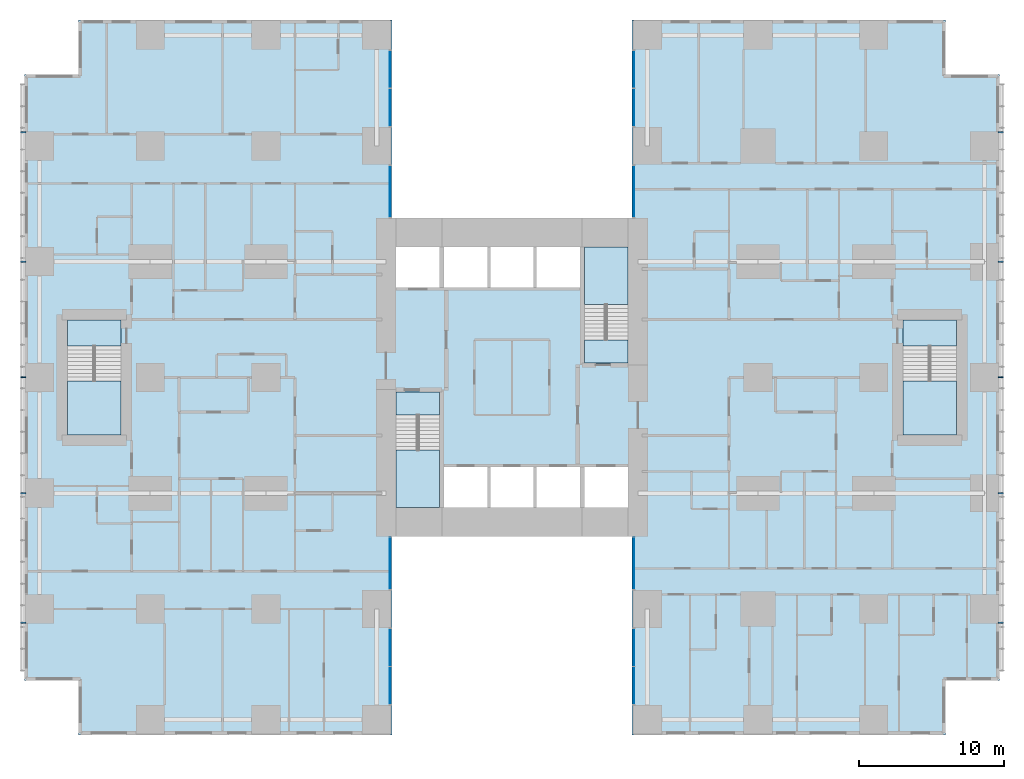
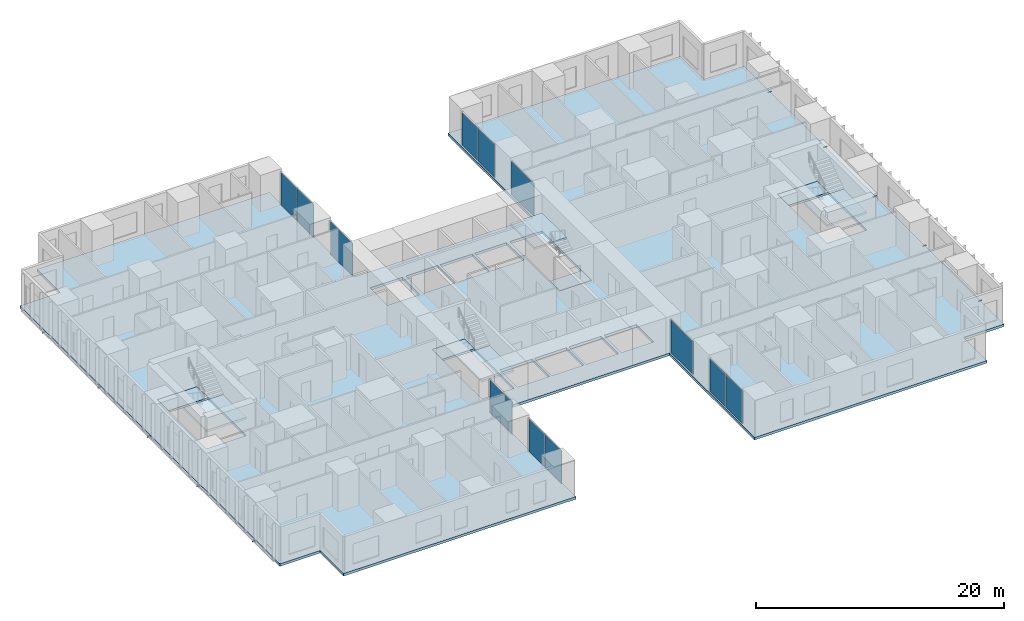
# One storey, part 7 of 20: 12 plates, 10 members, 9 slabs, 12 elements without a shape of their own.
"""IFC4 building model written with IfcOpenShell, lengths in metres."""

from ifc_helpers import new_model, si_unit, direction, frame, origin, origin_2d, place, context, subcontext, project, spatial, polyline, rectangle, hollow_rectangle, outline, extrude, material, layer, layer_set, material_profile, profile_set, type_object, element, aggregate, save


model = new_model("IFC4")

# Units and contexts
model_context = context("Model", 3, precision=1e-05, world=origin(), true_north=direction((0.0, 1.0)))
body_context = subcontext(model_context, "Body", "Model", "MODEL_VIEW")
ifc_project = project(units=[si_unit("LENGTHUNIT", "METRE"), si_unit("AREAUNIT", "SQUARE_METRE"), si_unit("VOLUMEUNIT", "CUBIC_METRE"), si_unit("PLANEANGLEUNIT", "RADIAN"), si_unit("MASSUNIT", "GRAM", prefix="KILO")], contexts=[model_context])

# Site, building, storey
site_placement = place(None, origin())
site = spatial("IfcSite", under=ifc_project, at=site_placement, CompositionType="ELEMENT")
building_placement = place(site_placement, origin())
building = spatial("IfcBuilding", under=site, at=building_placement, Name="Cleftline Residences", CompositionType="ELEMENT")
storey_placement = place(building_placement, frame((0.0, 0.0, 54.800048828125)))
storey = spatial("IfcBuildingStorey", under=building, at=storey_placement, Name="L13", CompositionType="ELEMENT", Elevation=54.800048828125)

# Members
ifc_material_1 = material(Name="Steel S355, hot-dip galvanised", Category="steel")
ifc_material_profile = material_profile(ifc_material_1, hollow_rectangle(XDim=0.10009765625, YDim=0.10009765625, WallThickness=0.008056640625, InnerFilletRadius=0.008056640625, OuterFilletRadius=0.011962890625, at=origin_2d()))
ifc_profile_set = profile_set([ifc_material_profile], Name="Steel S355, hot-dip galvanised")
member_type = type_object("IfcMemberType", Name="BAGUETTE BRACKET SHS 100X100X8", PredefinedType="USERDEFINED", material=ifc_profile_set)
for number, where, z_axis, x_axis, name in (
    (1, (66.60009765625, 7.050048828125, -0.150146484375), (1.0, 0.0, 0.0), (0.0, 1.0, 0.0), "Baguette bracket"),
    (2, (66.60009765625, 16.0, -0.150146484375), (1.0, 0.0, 0.0), (0.0, 1.0, 0.0), "Baguette bracket"),
    (3, (66.60009765625, 24.0, -0.150146484375), (1.0, 0.0, 0.0), (0.0, 1.0, 0.0), "Baguette bracket"),
    (4, (66.60009765625, 32.0, -0.150146484375), (1.0, 0.0, 0.0), (0.0, 1.0, 0.0), "Baguette bracket"),
    (5, (66.60009765625, 40.949951171875, -0.150146484375), (1.0, 0.0, 0.0), (0.0, 1.0, 0.0), "Baguette bracket"),
    (6, (-0.60009765625, 40.949951171875, -0.150146484375), (-1.0, 0.0, 0.0), (0.0, -1.0, 0.0), "Baguette bracket"),
    (7, (-0.60009765625, 32.0, -0.150146484375), (-1.0, 0.0, 0.0), (0.0, -1.0, 0.0), "Baguette bracket"),
    (8, (-0.60009765625, 24.0, -0.150146484375), (-1.0, 0.0, 0.0), (0.0, -1.0, 0.0), "Baguette bracket"),
    (9, (-0.60009765625, 16.0, -0.150146484375), (-1.0, 0.0, 0.0), (0.0, -1.0, 0.0), "Baguette bracket"),
    (10, (-0.60009765625, 7.050048828125, -0.150146484375), (-1.0, 0.0, 0.0), (0.0, -1.0, 0.0), "Baguette bracket"),
):
    element("IfcMember", number, at=place(storey_placement, frame(where, z_axis=z_axis, x_axis=x_axis)), inside=storey, type_object=member_type, Name=name, ObjectType="BAGUETTE BRACKET", PredefinedType="USERDEFINED", context=body_context, shape_type="SweptSolid", body=[
        extrude(hollow_rectangle(XDim=0.10009765625, YDim=0.10009765625, WallThickness=0.008056640625, InnerFilletRadius=0.008056640625, OuterFilletRadius=0.011962890625, at=origin_2d()), origin(), (0.0, 0.0, 1.0), 0.349853515625),
    ])

# Curtain wall, plates
ifc_material_2 = material(Name="Aluminium framed curtain wall", Category="aluminium")
ifc_layer_1 = layer(ifc_material_2, 0.199951171875)
ifc_layer_set_1 = layer_set([ifc_layer_1], Name="CW1 CLEFT GLAZING")
curtain_wall_type = type_object("IfcCurtainWallType", Name="CW1 CLEFT GLAZING", PredefinedType="NOTDEFINED", material=ifc_layer_set_1)
curtain_wall_1_placement = place(storey_placement, origin())
curtain_wall_1 = element("IfcCurtainWall", 11, at=curtain_wall_1_placement, inside=storey, type_object=curtain_wall_type, Name="Curtain wall CW1", PredefinedType="NOTDEFINED")
ifc_material_3 = material(Name="Laminated clear glass", Category="glass")
ifc_layer_2 = layer(ifc_material_3, 0.028076171875)
ifc_layer_set_2 = layer_set([ifc_layer_2], Name="CW1 GLASS PANEL")
plate_type = type_object("IfcPlateType", Name="CW1 GLASS PANEL", PredefinedType="CURTAIN_PANEL", material=ifc_layer_set_2)
plate_1_placement = place(storey_placement, frame((24.574951171875, 2.702392578125, 0.06005859375), z_axis=(0.0, 0.0, 1.0), x_axis=(0.0, 1.0, 0.0)))
plate_1 = element("IfcPlate", 12, at=plate_1_placement, type_object=plate_type, Name="CW1 panel 1.1", PredefinedType="CURTAIN_PANEL", context=body_context, shape_type="SweptSolid", body=[
    extrude(rectangle(XDim=2.5849609375, YDim=0.028076171875, at=origin_2d()), origin(), (0.0, 0.0, 1.0), 3.22998046875),
])
plate_2_placement = place(storey_placement, frame((24.574951171875, 5.347412109375, 0.06005859375), z_axis=(0.0, 0.0, 1.0), x_axis=(0.0, 1.0, 0.0)))
plate_2 = element("IfcPlate", 13, at=plate_2_placement, type_object=plate_type, Name="CW1 panel 2.1", PredefinedType="CURTAIN_PANEL", context=body_context, shape_type="SweptSolid", body=[
    extrude(rectangle(XDim=2.5849609375, YDim=0.028076171875, at=origin_2d()), origin(), (0.0, 0.0, 1.0), 3.22998046875),
])
aggregate(curtain_wall_1, [plate_1, plate_2])

# Curtain wall, plate
curtain_wall_2_placement = place(storey_placement, origin())
curtain_wall_2 = element("IfcCurtainWall", 14, at=curtain_wall_2_placement, inside=storey, type_object=curtain_wall_type, Name="Curtain wall CW1", PredefinedType="NOTDEFINED")
plate_3_placement = place(storey_placement, frame((24.574951171875, 11.14990234375, 0.06005859375), z_axis=(0.0, 0.0, 1.0), x_axis=(0.0, 1.0, 0.0)))
plate_3 = element("IfcPlate", 15, at=plate_3_placement, type_object=plate_type, Name="CW1 panel 1.1", PredefinedType="CURTAIN_PANEL", context=body_context, shape_type="SweptSolid", body=[
    extrude(rectangle(XDim=3.580078125, YDim=0.028076171875, at=origin_2d()), origin(), (0.0, 0.0, 1.0), 3.22998046875),
])
aggregate(curtain_wall_2, [plate_3])

curtain_wall_3_placement = place(storey_placement, origin())
curtain_wall_3 = element("IfcCurtainWall", 16, at=curtain_wall_3_placement, inside=storey, type_object=curtain_wall_type, Name="Curtain wall CW1", PredefinedType="NOTDEFINED")
plate_4_placement = place(storey_placement, frame((41.425048828125, 11.14990234375, 0.06005859375), z_axis=(0.0, 0.0, 1.0), x_axis=(0.0, -1.0, 0.0)))
plate_4 = element("IfcPlate", 17, at=plate_4_placement, type_object=plate_type, Name="CW1 panel 1.1", PredefinedType="CURTAIN_PANEL", context=body_context, shape_type="SweptSolid", body=[
    extrude(rectangle(XDim=3.580078125, YDim=0.028076171875, at=origin_2d()), origin(), (0.0, 0.0, 1.0), 3.22998046875),
])
aggregate(curtain_wall_3, [plate_4])

# Curtain wall, plates
curtain_wall_4_placement = place(storey_placement, origin())
curtain_wall_4 = element("IfcCurtainWall", 18, at=curtain_wall_4_placement, inside=storey, type_object=curtain_wall_type, Name="Curtain wall CW1", PredefinedType="NOTDEFINED")
plate_5_placement = place(storey_placement, frame((41.425048828125, 5.347412109375, 0.06005859375), z_axis=(0.0, 0.0, 1.0), x_axis=(0.0, -1.0, 0.0)))
plate_5 = element("IfcPlate", 19, at=plate_5_placement, type_object=plate_type, Name="CW1 panel 1.1", PredefinedType="CURTAIN_PANEL", context=body_context, shape_type="SweptSolid", body=[
    extrude(rectangle(XDim=2.5849609375, YDim=0.028076171875, at=origin_2d()), origin(), (0.0, 0.0, 1.0), 3.22998046875),
])
plate_6_placement = place(storey_placement, frame((41.425048828125, 2.702392578125, 0.06005859375), z_axis=(0.0, 0.0, 1.0), x_axis=(0.0, -1.0, 0.0)))
plate_6 = element("IfcPlate", 20, at=plate_6_placement, type_object=plate_type, Name="CW1 panel 2.1", PredefinedType="CURTAIN_PANEL", context=body_context, shape_type="SweptSolid", body=[
    extrude(rectangle(XDim=2.5849609375, YDim=0.028076171875, at=origin_2d()), origin(), (0.0, 0.0, 1.0), 3.22998046875),
])
aggregate(curtain_wall_4, [plate_5, plate_6])

curtain_wall_5_placement = place(storey_placement, origin())
curtain_wall_5 = element("IfcCurtainWall", 21, at=curtain_wall_5_placement, inside=storey, type_object=curtain_wall_type, Name="Curtain wall CW1", PredefinedType="NOTDEFINED")
plate_7_placement = place(storey_placement, frame((41.425048828125, 45.297607421875, 0.06005859375), z_axis=(0.0, 0.0, 1.0), x_axis=(0.0, -1.0, 0.0)))
plate_7 = element("IfcPlate", 22, at=plate_7_placement, type_object=plate_type, Name="CW1 panel 1.1", PredefinedType="CURTAIN_PANEL", context=body_context, shape_type="SweptSolid", body=[
    extrude(rectangle(XDim=2.5849609375, YDim=0.028076171875, at=origin_2d()), origin(), (0.0, 0.0, 1.0), 3.22998046875),
])
plate_8_placement = place(storey_placement, frame((41.425048828125, 42.652587890625, 0.06005859375), z_axis=(0.0, 0.0, 1.0), x_axis=(0.0, -1.0, 0.0)))
plate_8 = element("IfcPlate", 23, at=plate_8_placement, type_object=plate_type, Name="CW1 panel 2.1", PredefinedType="CURTAIN_PANEL", context=body_context, shape_type="SweptSolid", body=[
    extrude(rectangle(XDim=2.5849609375, YDim=0.028076171875, at=origin_2d()), origin(), (0.0, 0.0, 1.0), 3.22998046875),
])
aggregate(curtain_wall_5, [plate_7, plate_8])

# Curtain wall, plate
curtain_wall_6_placement = place(storey_placement, origin())
curtain_wall_6 = element("IfcCurtainWall", 24, at=curtain_wall_6_placement, inside=storey, type_object=curtain_wall_type, Name="Curtain wall CW1", PredefinedType="NOTDEFINED")
plate_9_placement = place(storey_placement, frame((41.425048828125, 36.85009765625, 0.06005859375), z_axis=(0.0, 0.0, 1.0), x_axis=(0.0, -1.0, 0.0)))
plate_9 = element("IfcPlate", 25, at=plate_9_placement, type_object=plate_type, Name="CW1 panel 1.1", PredefinedType="CURTAIN_PANEL", context=body_context, shape_type="SweptSolid", body=[
    extrude(rectangle(XDim=3.580078125, YDim=0.028076171875, at=origin_2d()), origin(), (0.0, 0.0, 1.0), 3.22998046875),
])
aggregate(curtain_wall_6, [plate_9])

curtain_wall_7_placement = place(storey_placement, origin())
curtain_wall_7 = element("IfcCurtainWall", 26, at=curtain_wall_7_placement, inside=storey, type_object=curtain_wall_type, Name="Curtain wall CW1", PredefinedType="NOTDEFINED")
plate_10_placement = place(storey_placement, frame((24.574951171875, 36.85009765625, 0.06005859375), z_axis=(0.0, 0.0, 1.0), x_axis=(0.0, 1.0, 0.0)))
plate_10 = element("IfcPlate", 27, at=plate_10_placement, type_object=plate_type, Name="CW1 panel 1.1", PredefinedType="CURTAIN_PANEL", context=body_context, shape_type="SweptSolid", body=[
    extrude(rectangle(XDim=3.580078125, YDim=0.028076171875, at=origin_2d()), origin(), (0.0, 0.0, 1.0), 3.22998046875),
])
aggregate(curtain_wall_7, [plate_10])

# Curtain wall, plates
curtain_wall_8_placement = place(storey_placement, origin())
curtain_wall_8 = element("IfcCurtainWall", 28, at=curtain_wall_8_placement, inside=storey, type_object=curtain_wall_type, Name="Curtain wall CW1", PredefinedType="NOTDEFINED")
plate_11_placement = place(storey_placement, frame((24.574951171875, 42.652587890625, 0.06005859375), z_axis=(0.0, 0.0, 1.0), x_axis=(0.0, 1.0, 0.0)))
plate_11 = element("IfcPlate", 29, at=plate_11_placement, type_object=plate_type, Name="CW1 panel 1.1", PredefinedType="CURTAIN_PANEL", context=body_context, shape_type="SweptSolid", body=[
    extrude(rectangle(XDim=2.5849609375, YDim=0.028076171875, at=origin_2d()), origin(), (0.0, 0.0, 1.0), 3.22998046875),
])
plate_12_placement = place(storey_placement, frame((24.574951171875, 45.297607421875, 0.06005859375), z_axis=(0.0, 0.0, 1.0), x_axis=(0.0, 1.0, 0.0)))
plate_12 = element("IfcPlate", 30, at=plate_12_placement, type_object=plate_type, Name="CW1 panel 2.1", PredefinedType="CURTAIN_PANEL", context=body_context, shape_type="SweptSolid", body=[
    extrude(rectangle(XDim=2.5849609375, YDim=0.028076171875, at=origin_2d()), origin(), (0.0, 0.0, 1.0), 3.22998046875),
])
aggregate(curtain_wall_8, [plate_11, plate_12])

# Slab
ifc_material_4 = material(Name="Concrete B45", Category="concrete")
ifc_layer_3 = layer(ifc_material_4, 0.25)
ifc_layer_set_3 = layer_set([ifc_layer_3], Name="FLOOR SLAB 250")
slab_type_1 = type_object("IfcSlabType", Name="FLOOR SLAB 250", PredefinedType="FLOOR", material=ifc_layer_set_3)
slab_1_placement = place(storey_placement, frame((0.0, 0.0, -0.25)))
element("IfcSlab", 31, at=slab_1_placement, inside=storey, type_object=slab_type_1, Name="Floor slab L13", PredefinedType="FLOOR", context=body_context, shape_type="SweptSolid", body=[
    extrude(outline(polyline([(24.699951171875, 13.0), (41.300048828125, 13.0), (41.300048828125, -0.699951171875), (62.949951171875, -0.699951171875), (62.949951171875, 3.050048828125), (66.699951171875, 3.050048828125), (66.699951171875, 44.949951171875), (62.949951171875, 44.949951171875), (62.949951171875, 48.699951171875), (41.300048828125, 48.699951171875), (41.300048828125, 35.0), (24.699951171875, 35.0), (24.699951171875, 48.699951171875), (3.050048828125, 48.699951171875), (3.050048828125, 44.949951171875), (-0.699951171875, 44.949951171875), (-0.699951171875, 3.050048828125), (3.050048828125, 3.050048828125), (3.050048828125, -0.699951171875), (24.699951171875, -0.699951171875), (24.699951171875, 13.0)]), holes=[polyline([(28.0, 15.0), (28.0, 23.0), (25.0, 23.0), (25.0, 15.0), (28.0, 15.0)]), polyline([(41.0, 25.0), (41.0, 33.0), (38.0, 33.0), (38.0, 25.0), (41.0, 25.0)]), polyline([(28.0, 30.199951171875), (28.0, 33.0), (25.0, 33.0), (25.0, 30.199951171875), (28.0, 30.199951171875)]), polyline([(41.0, 15.0), (41.0, 17.800048828125), (38.0, 17.800048828125), (38.0, 15.0), (41.0, 15.0)]), polyline([(31.300048828125, 15.0), (31.300048828125, 17.800048828125), (28.300048828125, 17.800048828125), (28.300048828125, 15.0), (31.300048828125, 15.0)]), polyline([(34.5, 15.0), (34.5, 17.800048828125), (31.5, 17.800048828125), (31.5, 15.0), (34.5, 15.0)]), polyline([(37.699951171875, 15.0), (37.699951171875, 17.800048828125), (34.699951171875, 17.800048828125), (34.699951171875, 15.0), (37.699951171875, 15.0)]), polyline([(31.300048828125, 30.199951171875), (31.300048828125, 33.0), (28.300048828125, 33.0), (28.300048828125, 30.199951171875), (31.300048828125, 30.199951171875)]), polyline([(34.5, 30.199951171875), (34.5, 33.0), (31.5, 33.0), (31.5, 30.199951171875), (34.5, 30.199951171875)]), polyline([(37.699951171875, 30.199951171875), (37.699951171875, 33.0), (34.699951171875, 33.0), (34.699951171875, 30.199951171875), (37.699951171875, 30.199951171875)]), polyline([(63.72509765625, 20.02490234375), (63.72509765625, 27.97509765625), (60.02490234375, 27.97509765625), (60.02490234375, 20.02490234375), (63.72509765625, 20.02490234375)]), polyline([(5.97509765625, 20.02490234375), (5.97509765625, 27.97509765625), (2.27490234375, 27.97509765625), (2.27490234375, 20.02490234375), (5.97509765625, 20.02490234375)])]), origin(), (0.0, 0.0, 1.0), 0.25),
])

# Stair, slabs
ifc_material_5 = material(Name="Concrete B45, stone treads", Category="masonry")
stair_type_1 = type_object("IfcStairType", Name="STAIR A 1450 WIDE 180 RISER", PredefinedType="HALF_TURN_STAIR", material=ifc_material_5)
stair_1_placement = place(storey_placement, origin())
stair_1 = element("IfcStair", 32, at=stair_1_placement, inside=storey, type_object=stair_type_1, Name="Stair A L13", PredefinedType="HALF_TURN_STAIR")
ifc_material_6 = material(Name="Concrete B45", Category="concrete")
ifc_layer_4 = layer(ifc_material_6, 0.199951171875)
ifc_layer_set_4 = layer_set([ifc_layer_4], Name="STAIR LANDING 200")
slab_type_2 = type_object("IfcSlabType", Name="STAIR LANDING 200", PredefinedType="LANDING", material=ifc_layer_set_4)
slab_2_placement = place(storey_placement, frame((0.0, 0.0, -0.199951171875)))
slab_2 = element("IfcSlab", 33, at=slab_2_placement, type_object=slab_type_2, Name="ST-A landing 1", PredefinedType="LANDING", context=body_context, shape_type="SweptSolid", body=[
    extrude(outline(polyline([(25.0, 21.39990234375), (28.0, 21.39990234375), (28.0, 23.0), (25.0, 23.0), (25.0, 21.39990234375)])), origin(), (0.0, 0.0, 1.0), 0.199951171875),
])
slab_3_placement = place(storey_placement, frame((0.0, 0.0, 1.599853515625)))
slab_3 = element("IfcSlab", 34, at=slab_3_placement, type_object=slab_type_2, Name="ST-A landing 2", PredefinedType="LANDING", context=body_context, shape_type="SweptSolid", body=[
    extrude(outline(polyline([(25.0, 15.0), (28.0, 15.0), (28.0, 18.969970703125), (25.0, 18.969970703125), (25.0, 15.0)])), origin(), (0.0, 0.0, 1.0), 0.2001953125),
])
aggregate(stair_1, [slab_2, slab_3])

ifc_material_7 = material(Name="Concrete B45, stone treads", Category="masonry")
stair_type_2 = type_object("IfcStairType", Name="STAIR B 1450 WIDE 180 RISER", PredefinedType="HALF_TURN_STAIR", material=ifc_material_7)
stair_2_placement = place(storey_placement, origin())
stair_2 = element("IfcStair", 35, at=stair_2_placement, inside=storey, type_object=stair_type_2, Name="Stair B L13", PredefinedType="HALF_TURN_STAIR")
slab_4_placement = place(storey_placement, frame((0.0, 0.0, -0.199951171875)))
slab_4 = element("IfcSlab", 36, at=slab_4_placement, type_object=slab_type_2, Name="ST-B landing 1", PredefinedType="LANDING", context=body_context, shape_type="SweptSolid", body=[
    extrude(outline(polyline([(38.0, 25.0), (41.0, 25.0), (41.0, 26.60009765625), (38.0, 26.60009765625), (38.0, 25.0)])), origin(), (0.0, 0.0, 1.0), 0.199951171875),
])
slab_5_placement = place(storey_placement, frame((0.0, 0.0, 1.599853515625)))
slab_5 = element("IfcSlab", 37, at=slab_5_placement, type_object=slab_type_2, Name="ST-B landing 2", PredefinedType="LANDING", context=body_context, shape_type="SweptSolid", body=[
    extrude(outline(polyline([(38.0, 29.030029296875), (41.0, 29.030029296875), (41.0, 33.0), (38.0, 33.0), (38.0, 29.030029296875)])), origin(), (0.0, 0.0, 1.0), 0.2001953125),
])
aggregate(stair_2, [slab_4, slab_5])

ifc_material_8 = material(Name="Concrete B45, stone treads", Category="masonry")
stair_type_3 = type_object("IfcStairType", Name="STAIR E 1800 WIDE 180 RISER", PredefinedType="HALF_TURN_STAIR", material=ifc_material_8)
stair_3_placement = place(storey_placement, origin())
stair_3 = element("IfcStair", 38, at=stair_3_placement, inside=storey, type_object=stair_type_3, Name="Stair E L13", PredefinedType="HALF_TURN_STAIR")
slab_6_placement = place(storey_placement, frame((0.0, 0.0, -0.199951171875)))
slab_6 = element("IfcSlab", 39, at=slab_6_placement, type_object=slab_type_2, Name="ST-E landing 1", PredefinedType="LANDING", context=body_context, shape_type="SweptSolid", body=[
    extrude(outline(polyline([(60.02490234375, 26.175048828125), (63.72509765625, 26.175048828125), (63.72509765625, 27.97509765625), (60.02490234375, 27.97509765625), (60.02490234375, 26.175048828125)])), origin(), (0.0, 0.0, 1.0), 0.199951171875),
])
slab_7_placement = place(storey_placement, frame((0.0, 0.0, 1.599853515625)))
slab_7 = element("IfcSlab", 40, at=slab_7_placement, type_object=slab_type_2, Name="ST-E landing 2", PredefinedType="LANDING", context=body_context, shape_type="SweptSolid", body=[
    extrude(outline(polyline([(60.02490234375, 20.02490234375), (63.72509765625, 20.02490234375), (63.72509765625, 23.7451171875), (60.02490234375, 23.7451171875), (60.02490234375, 20.02490234375)])), origin(), (0.0, 0.0, 1.0), 0.2001953125),
])
aggregate(stair_3, [slab_6, slab_7])

ifc_material_9 = material(Name="Concrete B45, stone treads", Category="masonry")
stair_type_4 = type_object("IfcStairType", Name="STAIR W 1800 WIDE 180 RISER", PredefinedType="HALF_TURN_STAIR", material=ifc_material_9)
stair_4_placement = place(storey_placement, origin())
stair_4 = element("IfcStair", 41, at=stair_4_placement, inside=storey, type_object=stair_type_4, Name="Stair W L13", PredefinedType="HALF_TURN_STAIR")
slab_8_placement = place(storey_placement, frame((0.0, 0.0, -0.199951171875)))
slab_8 = element("IfcSlab", 42, at=slab_8_placement, type_object=slab_type_2, Name="ST-W landing 1", PredefinedType="LANDING", context=body_context, shape_type="SweptSolid", body=[
    extrude(outline(polyline([(2.27490234375, 26.175048828125), (5.97509765625, 26.175048828125), (5.97509765625, 27.97509765625), (2.27490234375, 27.97509765625), (2.27490234375, 26.175048828125)])), origin(), (0.0, 0.0, 1.0), 0.199951171875),
])
slab_9_placement = place(storey_placement, frame((0.0, 0.0, 1.599853515625)))
slab_9 = element("IfcSlab", 43, at=slab_9_placement, type_object=slab_type_2, Name="ST-W landing 2", PredefinedType="LANDING", context=body_context, shape_type="SweptSolid", body=[
    extrude(outline(polyline([(2.27490234375, 20.02490234375), (5.97509765625, 20.02490234375), (5.97509765625, 23.7451171875), (2.27490234375, 23.7451171875), (2.27490234375, 20.02490234375)])), origin(), (0.0, 0.0, 1.0), 0.2001953125),
])
aggregate(stair_4, [slab_8, slab_9])

save(model, "model.ifc")
